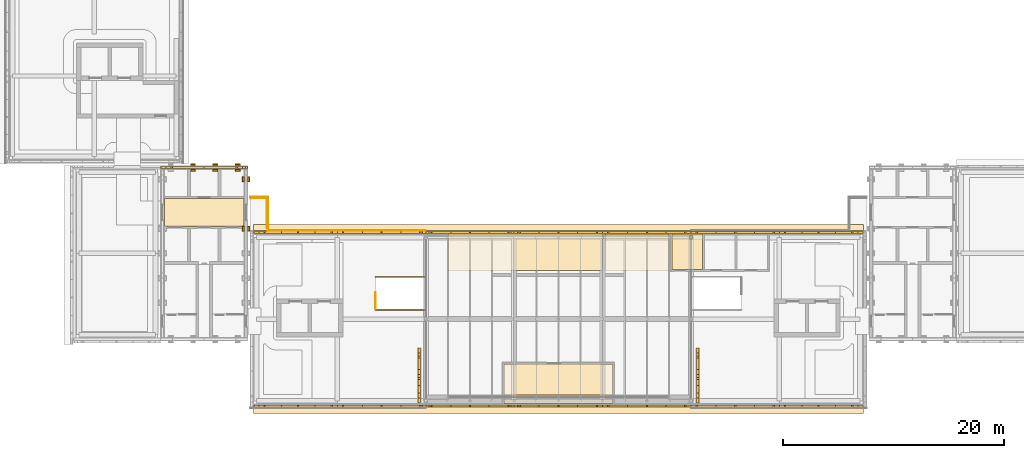
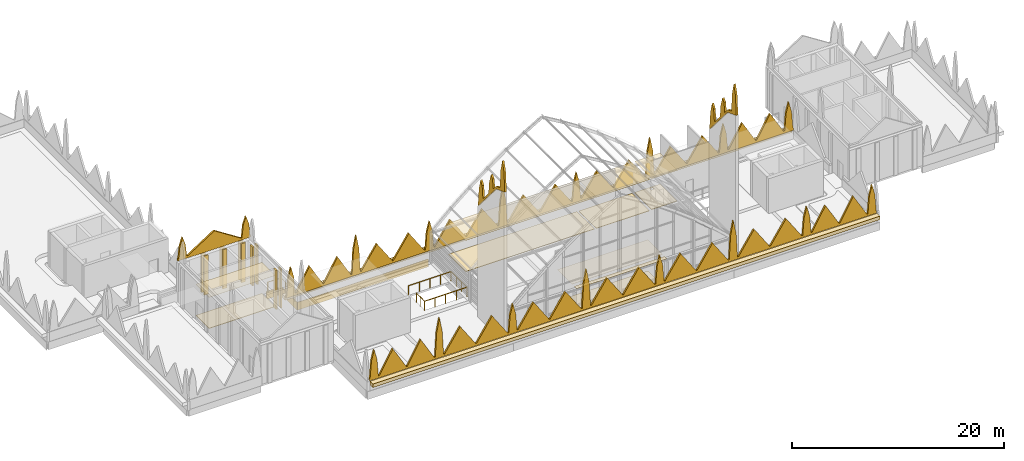
# One storey, part 15 of 18: 32 coverings, 3 railings.
"""IFC4 building model written with IfcOpenShell, lengths in metres."""

from ifc_helpers import new_model, si_unit, direction, frame, frame_2d, origin, origin_2d, place, context, subcontext, project, spatial, polyline, rectangle, circle, outline, extrude, material, layer, layer_set, type_object, element, save


model = new_model("IFC4")

# Units and contexts
model_context = context("Model", 3, precision=1e-05, world=origin(), true_north=direction((0.0, 1.0)))
body_context = subcontext(model_context, "Body", "Model", "MODEL_VIEW")
ifc_project = project(units=[si_unit("LENGTHUNIT", "METRE"), si_unit("AREAUNIT", "SQUARE_METRE"), si_unit("VOLUMEUNIT", "CUBIC_METRE"), si_unit("PLANEANGLEUNIT", "RADIAN"), si_unit("MASSUNIT", "GRAM", prefix="KILO")], contexts=[model_context])

# Site, building, storey
site_placement = place(None, origin())
site = spatial("IfcSite", under=ifc_project, at=site_placement, CompositionType="ELEMENT")
building_placement = place(site_placement, origin())
building = spatial("IfcBuilding", under=site, at=building_placement, Name="Lantern Court Media Centre", CompositionType="ELEMENT")
storey_placement = place(building_placement, frame((0.0, 0.0, 33.60009765625)))
storey = spatial("IfcBuildingStorey", under=building, at=storey_placement, Name="R00", CompositionType="ELEMENT", Elevation=33.60009765625)

# Coverings
ifc_material_1 = material(Name="Carpet")
ifc_layer_1 = layer(ifc_material_1, 0.050048828125)
ifc_layer_set_1 = layer_set([ifc_layer_1], Name="Carpet")
covering_type_1 = type_object("IfcCoveringType", Name="Carpet floor finish", PredefinedType="FLOORING", material=ifc_layer_set_1)
covering_1_placement = place(storey_placement, origin())
element("IfcCovering", 1, at=covering_1_placement, inside=storey, type_object=covering_type_1, Name="Terrace Bar floor finish", PredefinedType="FLOORING", context=body_context, shape_type="SweptSolid", body=[
    extrude(outline(polyline([(56.0, 54.39990234375), (42.0, 54.39990234375), (42.0, 57.695068359375), (56.0, 57.695068359375), (56.0, 54.39990234375)])), origin(), (0.0, 0.0, 1.0), 0.0498046875),
])
covering_2_placement = place(storey_placement, origin())
element("IfcCovering", 2, at=covering_2_placement, inside=storey, type_object=covering_type_1, Name="Terrace Kitchen floor finish", PredefinedType="FLOORING", context=body_context, shape_type="SweptSolid", body=[
    extrude(outline(polyline([(62.0, 54.39990234375), (56.199951171875, 54.39990234375), (56.199951171875, 57.695068359375), (62.0, 57.695068359375), (62.0, 54.39990234375)])), origin(), (0.0, 0.0, 1.0), 0.0498046875),
])
covering_3_placement = place(storey_placement, origin())
element("IfcCovering", 3, at=covering_3_placement, inside=storey, type_object=covering_type_1, Name="Projection Booth floor finish", PredefinedType="FLOORING", context=body_context, shape_type="SweptSolid", body=[
    extrude(outline(polyline([(47.080078125, 45.919921875), (56.919921875, 45.919921875), (56.919921875, 43.155029296875), (47.080078125, 43.155029296875), (47.080078125, 45.919921875)])), origin(), (0.0, 0.0, 1.0), 0.0498046875),
])
covering_4_placement = place(storey_placement, origin())
element("IfcCovering", 4, at=covering_4_placement, inside=storey, type_object=covering_type_1, Name="Projection Booth floor finish", PredefinedType="FLOORING", context=body_context, shape_type="SweptSolid", body=[
    extrude(outline(polyline([(56.919921875, 42.7451171875), (56.919921875, 42.304931640625), (47.080078125, 42.304931640625), (47.080078125, 42.7451171875), (56.919921875, 42.7451171875)])), origin(), (0.0, 0.0, 1.0), 0.0498046875),
])
ifc_material_2 = material(Name="Ceramic tile")
ifc_layer_2 = layer(ifc_material_2, 0.050048828125)
ifc_layer_set_2 = layer_set([ifc_layer_2], Name="Ceramic tile")
covering_type_2 = type_object("IfcCoveringType", Name="Ceramic tile floor finish", PredefinedType="FLOORING", material=ifc_layer_set_2)
covering_5_placement = place(storey_placement, origin())
element("IfcCovering", 5, at=covering_5_placement, inside=storey, type_object=covering_type_2, Name="WC Male floor finish", PredefinedType="FLOORING", context=body_context, shape_type="SweptSolid", body=[
    extrude(outline(polyline([(62.280029296875, 54.47998046875), (62.280029296875, 57.695068359375), (65.052978515625, 57.695068359375), (65.052978515625, 54.47998046875), (62.280029296875, 54.47998046875)]), holes=[polyline([(64.155029296875, 57.550048828125), (63.846435546875, 57.553466796875), (63.846435546875, 57.24658203125), (64.153564453125, 57.24658203125), (64.155029296875, 57.550048828125)])]), origin(), (0.0, 0.0, 1.0), 0.0498046875),
])

# Railing
ifc_material_3 = material(Name="Powder-coated steel", Category="steel")
railing_type_1 = type_object("IfcRailingType", Name="Floor edge guard 1100", PredefinedType="GUARDRAIL", material=ifc_material_3)
railing_1_placement = place(storey_placement, frame((24.159912109375, 60.93310546875, 0.0)))
element("IfcRailing", 6, at=railing_1_placement, inside=storey, type_object=railing_type_1, Name="R00 edge guard 246", PredefinedType="GUARDRAIL", context=body_context, shape_type="SweptSolid", body=[
    extrude(circle(Radius=0.02392578125, at=origin_2d()), frame((0.0, 0.0, 1.076171875), z_axis=(0.997310439798, 0.073293155681, 0.0), x_axis=(-0.073293155681, 0.997310439798, 0.0)), (0.0, 0.0, 1.0), 0.09326171875),
    extrude(circle(Radius=0.02392578125, at=origin_2d()), frame((0.093017578125, 0.0068359375, 1.076171875), z_axis=(1.0, 0.0, 0.0), x_axis=(0.0, 1.0, 0.0)), (0.0, 0.0, 1.0), 1.386962890625),
    extrude(circle(Radius=0.02392578125, at=origin_2d()), frame((1.47998046875, 0.0068359375, 1.076171875), z_axis=(0.0, -1.0, 0.0), x_axis=(1.0, 0.0, 0.0)), (0.0, 0.0, 1.0), 2.675048828125),
    extrude(circle(Radius=0.02099609375, at=origin_2d()), origin(), (0.0, 0.0, 1.0), 1.052001953125),
    extrude(circle(Radius=0.02099609375, at=origin_2d()), frame((0.093017578125, 0.0068359375, 0.0)), (0.0, 0.0, 1.0), 1.052001953125),
    extrude(circle(Radius=0.02099609375, at=origin_2d()), frame((0.78662109375, 0.0068359375, 0.0)), (0.0, 0.0, 1.0), 1.052001953125),
    extrude(circle(Radius=0.02099609375, at=origin_2d()), frame((1.47998046875, 0.0068359375, 0.0)), (0.0, 0.0, 1.0), 1.052001953125),
    extrude(circle(Radius=0.02099609375, at=origin_2d()), frame((1.47998046875, -0.884765625, 0.0)), (0.0, 0.0, 1.0), 1.052001953125),
    extrude(circle(Radius=0.02099609375, at=origin_2d()), frame((1.47998046875, -1.776611328125, 0.0)), (0.0, 0.0, 1.0), 1.052001953125),
    extrude(circle(Radius=0.02099609375, at=origin_2d()), frame((1.47998046875, -2.668212890625, 0.0)), (0.0, 0.0, 1.0), 1.052001953125),
])

# Coverings
ifc_material_4 = material(Name="White glass-fibre reinforced cement cladding", Category="concrete")
ifc_layer_3 = layer(ifc_material_4, 0.050048828125)
ifc_layer_set_3 = layer_set([ifc_layer_3], Name="White glass-fibre reinforced cement cladding")
covering_type_3 = type_object("IfcCoveringType", Name="Floor-edge band 50", PredefinedType="CLADDING", material=ifc_layer_set_3)
covering_6_placement = place(storey_placement, frame((25.75, 58.02490234375, -0.900146484375), z_axis=(0.0, 0.0, 1.0), x_axis=(1.0, 0.0, 0.0)))
element("IfcCovering", 7, at=covering_6_placement, inside=storey, type_object=covering_type_3, Name="Floor-edge band S inner roof", PredefinedType="CLADDING", context=body_context, shape_type="SweptSolid", body=[
    extrude(rectangle(XDim=14.25, YDim=0.050048828125, at=frame_2d((7.125, 0.0))), origin(), (0.0, 0.0, 1.0), 0.900146484375),
])
covering_7_placement = place(storey_placement, frame((24.10009765625, 61.02490234375, -0.900146484375), z_axis=(0.0, 0.0, 1.0), x_axis=(1.0, 0.0, 0.0)))
element("IfcCovering", 8, at=covering_7_placement, inside=storey, type_object=covering_type_3, Name="Floor-edge band S inner roof", PredefinedType="CLADDING", context=body_context, shape_type="SweptSolid", body=[
    extrude(rectangle(XDim=1.599853515625, YDim=0.050048828125, at=frame_2d((0.7998046875, 0.0))), origin(), (0.0, 0.0, 1.0), 0.900146484375),
])
covering_8_placement = place(storey_placement, frame((25.72509765625, 58.0, -0.900146484375), z_axis=(0.0, 0.0, 1.0), x_axis=(0.0, 1.0, 0.0)))
element("IfcCovering", 9, at=covering_8_placement, inside=storey, type_object=covering_type_3, Name="Floor-edge band S inner roof", PredefinedType="CLADDING", context=body_context, shape_type="SweptSolid", body=[
    extrude(rectangle(XDim=3.050048828125, YDim=0.050048828125, at=frame_2d((1.52490234375, 0.0))), origin(), (0.0, 0.0, 1.0), 0.900146484375),
])
ifc_material_5 = material(Name="Honed limestone cladding on blockwork", Category="masonry")
ifc_layer_4 = layer(ifc_material_5, 0.550048828125)
ifc_layer_set_4 = layer_set([ifc_layer_4], Name="Honed limestone cladding on blockwork")
covering_type_4 = type_object("IfcCoveringType", Name="Limestone cornice 550", PredefinedType="CLADDING", material=ifc_layer_set_4)
for number, where, z_axis, x_axis, name in (
    (10, (24.39990234375, 41.72509765625, 0.699951171875), (0.0, 0.0, 1.0), (1.0, 0.0, 0.0), "Attic cornice"),
    (11, (24.39990234375, 58.27490234375, 0.699951171875), (0.0, 0.0, 1.0), (1.0, 0.0, 0.0), "Attic cornice"),
):
    element("IfcCovering", number, at=place(storey_placement, frame(where, z_axis=z_axis, x_axis=x_axis)), inside=storey, type_object=covering_type_4, Name=name, PredefinedType="CLADDING", context=body_context, shape_type="SweptSolid", body=[
        extrude(rectangle(XDim=55.2001953125, YDim=0.550048828125, at=frame_2d((27.60009765625, 0.0))), origin(), (0.0, 0.0, 1.0), 0.39990234375),
    ])
ifc_layer_5 = layer(ifc_material_5, 0.199951171875)
ifc_layer_set_5 = layer_set([ifc_layer_5], Name="Honed limestone cladding on blockwork")
covering_type_5 = type_object("IfcCoveringType", Name="Limestone cresting 200", PredefinedType="CLADDING", material=ifc_layer_set_5)
covering_9_placement = place(storey_placement, frame((24.39990234375, 42.14990234375, 1.099853515625), z_axis=(0.0, 0.0, 1.0), x_axis=(1.0, 0.0, 0.0)))
element("IfcCovering", 12, at=covering_9_placement, inside=storey, type_object=covering_type_5, Name="Parapet cresting", PredefinedType="CLADDING", context=body_context, shape_type="SweptSolid", body=[
    extrude(outline(polyline([(0.0, 0.0), (55.2001953125, 0.0), (55.199951171875, 0.25), (55.14990234375, 0.25), (55.0, 2.2099609375), (54.699951171875, 3.400146484375), (54.39990234375, 2.2099609375), (54.25, 0.25), (54.1298828125, 0.25), (52.6650390625, 2.800048828125), (51.199951171875, 0.25), (51.10009765625, 0.25), (49.635009765625, 2.800048828125), (48.169921875, 0.25), (48.050048828125, 0.25), (47.89990234375, 2.2099609375), (47.60009765625, 3.400146484375), (47.300048828125, 2.2099609375), (47.14990234375, 0.25), (47.030029296875, 0.25), (45.340087890625, 2.800048828125), (43.64990234375, 0.25), (43.550048828125, 0.25), (41.860107421875, 2.800048828125), (40.169921875, 0.25), (40.050048828125, 0.25), (39.89990234375, 2.983642578125), (39.60009765625, 4.590087890625), (39.300048828125, 2.983642578125), (39.14990234375, 0.25), (39.030029296875, 0.25), (37.340087890625, 2.800048828125), (35.64990234375, 0.25), (35.550048828125, 0.25), (33.860107421875, 2.800048828125), (32.169921875, 0.25), (32.050048828125, 0.25), (31.89990234375, 2.2099609375), (31.60009765625, 3.400146484375), (31.300048828125, 2.2099609375), (31.14990234375, 0.25), (31.030029296875, 0.25), (29.340087890625, 2.800048828125), (27.64990234375, 0.25), (27.550048828125, 0.25), (25.860107421875, 2.800048828125), (24.169921875, 0.25), (24.050048828125, 0.25), (23.89990234375, 2.983642578125), (23.60009765625, 4.590087890625), (23.300048828125, 2.983642578125), (23.14990234375, 0.25), (23.030029296875, 0.25), (21.340087890625, 2.800048828125), (19.64990234375, 0.25), (19.550048828125, 0.25), (17.860107421875, 2.800048828125), (16.169921875, 0.25), (16.050048828125, 0.25), (15.89990234375, 2.2099609375), (15.60009765625, 3.400146484375), (15.300048828125, 2.2099609375), (15.14990234375, 0.25), (15.030029296875, 0.25), (13.340087890625, 2.800048828125), (11.64990234375, 0.25), (11.550048828125, 0.25), (9.860107421875, 2.800048828125), (8.169921875, 0.25), (8.050048828125, 0.25), (7.89990234375, 2.983642578125), (7.60009765625, 4.590087890625), (7.300048828125, 2.983642578125), (7.14990234375, 0.25), (7.030029296875, 0.25), (5.56494140625, 2.800048828125), (4.10009765625, 0.25), (4.0, 0.25), (2.534912109375, 2.800048828125), (1.070068359375, 0.25), (0.949951171875, 0.25), (0.800048828125, 2.2099609375), (0.5, 3.400146484375), (0.199951171875, 2.2099609375), (0.050048828125, 0.25), (0.0, 0.25), (0.0, 0.0)])), frame((0.0, 0.10009765625, 0.0), z_axis=(0.0, -1.0, 0.0), x_axis=(1.0, 0.0, 0.0)), (0.0, 0.0, 1.0), 0.199951171875),
])
covering_10_placement = place(storey_placement, frame((24.39990234375, 57.85009765625, 1.099853515625), z_axis=(0.0, 0.0, 1.0), x_axis=(1.0, 0.0, 0.0)))
element("IfcCovering", 13, at=covering_10_placement, inside=storey, type_object=covering_type_5, Name="Parapet cresting", PredefinedType="CLADDING", context=body_context, shape_type="SweptSolid", body=[
    extrude(outline(polyline([(0.0, 0.0), (55.2001953125, 0.0), (55.199951171875, 0.25), (55.14990234375, 0.25), (55.0, 2.2099609375), (54.699951171875, 3.400146484375), (54.39990234375, 2.2099609375), (54.25, 0.25), (54.1298828125, 0.25), (52.6650390625, 2.800048828125), (51.199951171875, 0.25), (51.10009765625, 0.25), (49.635009765625, 2.800048828125), (48.169921875, 0.25), (48.050048828125, 0.25), (47.89990234375, 2.2099609375), (47.60009765625, 3.400146484375), (47.300048828125, 2.2099609375), (47.14990234375, 0.25), (47.030029296875, 0.25), (45.340087890625, 2.800048828125), (43.64990234375, 0.25), (43.550048828125, 0.25), (41.860107421875, 2.800048828125), (40.169921875, 0.25), (40.050048828125, 0.25), (39.89990234375, 2.983642578125), (39.60009765625, 4.590087890625), (39.300048828125, 2.983642578125), (39.14990234375, 0.25), (39.030029296875, 0.25), (37.340087890625, 2.800048828125), (35.64990234375, 0.25), (35.550048828125, 0.25), (33.860107421875, 2.800048828125), (32.169921875, 0.25), (32.050048828125, 0.25), (31.89990234375, 2.2099609375), (31.60009765625, 3.400146484375), (31.300048828125, 2.2099609375), (31.14990234375, 0.25), (31.030029296875, 0.25), (29.340087890625, 2.800048828125), (27.64990234375, 0.25), (27.550048828125, 0.25), (25.860107421875, 2.800048828125), (24.169921875, 0.25), (24.050048828125, 0.25), (23.89990234375, 2.983642578125), (23.60009765625, 4.590087890625), (23.300048828125, 2.983642578125), (23.14990234375, 0.25), (23.030029296875, 0.25), (21.340087890625, 2.800048828125), (19.64990234375, 0.25), (19.550048828125, 0.25), (17.860107421875, 2.800048828125), (16.169921875, 0.25), (16.050048828125, 0.25), (15.89990234375, 2.2099609375), (15.60009765625, 3.400146484375), (15.300048828125, 2.2099609375), (15.14990234375, 0.25), (15.030029296875, 0.25), (13.340087890625, 2.800048828125), (11.64990234375, 0.25), (11.550048828125, 0.25), (9.860107421875, 2.800048828125), (8.169921875, 0.25), (8.050048828125, 0.25), (7.89990234375, 2.983642578125), (7.60009765625, 4.590087890625), (7.300048828125, 2.983642578125), (7.14990234375, 0.25), (7.030029296875, 0.25), (5.56494140625, 2.800048828125), (4.10009765625, 0.25), (4.0, 0.25), (2.534912109375, 2.800048828125), (1.070068359375, 0.25), (0.949951171875, 0.25), (0.800048828125, 2.2099609375), (0.5, 3.400146484375), (0.199951171875, 2.2099609375), (0.050048828125, 0.25), (0.0, 0.25), (0.0, 0.0)])), frame((0.0, 0.10009765625, 0.0), z_axis=(0.0, -1.0, 0.0), x_axis=(1.0, 0.0, 0.0)), (0.0, 0.0, 1.0), 0.199951171875),
])
covering_11_placement = place(storey_placement, frame((16.0, 63.72509765625, 4.75), z_axis=(0.0, 0.0, 1.0), x_axis=(1.0, 0.0, 0.0)))
element("IfcCovering", 14, at=covering_11_placement, inside=storey, type_object=covering_type_5, Name="Roof box cresting", PredefinedType="CLADDING", context=body_context, shape_type="SweptSolid", body=[
    extrude(outline(polyline([(0.0, 0.0), (7.89990234375, 0.0), (7.89990234375, 0.25), (7.85009765625, 0.25), (7.699951171875, 1.657470703125), (7.39990234375, 2.5498046875), (7.10009765625, 1.657470703125), (6.949951171875, 0.25), (6.830078125, 0.25), (3.949951171875, 2.099853515625), (1.070068359375, 0.25), (0.949951171875, 0.25), (0.800048828125, 1.657470703125), (0.5, 2.5498046875), (0.199951171875, 1.657470703125), (0.050048828125, 0.25), (0.0, 0.25), (0.0, 0.0)])), frame((0.0, 0.10009765625, 0.0), z_axis=(0.0, -1.0, 0.0), x_axis=(1.0, 0.0, 0.0)), (0.0, 0.0, 1.0), 0.199951171875),
])
for number, where, z_axis, x_axis, name in (
    (15, (39.39990234375, 42.39990234375, 12.7998046875), (0.0, 0.0, 1.0), (0.0, 1.0, 0.0), "Pylon blade crown"),
    (16, (64.60009765625, 42.39990234375, 12.7998046875), (0.0, 0.0, 1.0), (0.0, 1.0, 0.0), "Pylon blade crown"),
):
    element("IfcCovering", number, at=place(storey_placement, frame(where, z_axis=z_axis, x_axis=x_axis)), inside=storey, type_object=covering_type_5, Name=name, PredefinedType="CLADDING", context=body_context, shape_type="SweptSolid", body=[
        extrude(outline(polyline([(0.0, 4.60009765625), (0.14990234375, 4.5439453125), (0.449951171875, 4.431396484375), (0.75, 4.31884765625), (0.89990234375, 4.2626953125), (1.60009765625, 4.0), (2.14990234375, 3.35302734375), (2.300048828125, 3.176513671875), (2.60009765625, 2.82373046875), (2.89990234375, 2.470703125), (3.050048828125, 2.294189453125), (4.10009765625, 1.058837890625), (4.25, 0.882568359375), (4.550048828125, 0.529541015625), (4.85009765625, 0.176513671875), (5.0, 0.0), (5.0, 0.300048828125), (4.85009765625, 2.03662109375), (4.550048828125, 3.2294921875), (4.25, 2.742431640625), (4.10009765625, 1.35888671875), (3.050048828125, 2.59423828125), (2.89990234375, 4.005615234375), (2.60009765625, 5.023681640625), (2.300048828125, 4.711669921875), (2.14990234375, 3.653076171875), (1.60009765625, 4.300048828125), (0.89990234375, 4.5625), (0.75, 6.69873046875), (0.449951171875, 7.931396484375), (0.14990234375, 6.923828125), (0.0, 4.900146484375), (0.0, 4.60009765625)])), frame((0.0, 0.10009765625, 0.0), z_axis=(0.0, -1.0, 0.0), x_axis=(1.0, 0.0, 0.0)), (0.0, 0.0, 1.0), 0.199951171875),
    ])
ifc_material_6 = material(Name="Honed limestone cladding", Category="masonry")
ifc_layer_6 = layer(ifc_material_6, 0.14990234375)
ifc_layer_set_6 = layer_set([ifc_layer_6], Name="Honed limestone cladding")
covering_type_6 = type_object("IfcCoveringType", Name="Limestone pilaster cladding 150", PredefinedType="CLADDING", material=ifc_layer_set_6)
covering_12_placement = place(storey_placement, frame((23.47509765625, 57.958251953125, 0.0), z_axis=(0.0, 0.0, 1.0), x_axis=(0.0, 1.0, 0.0)))
element("IfcCovering", 17, at=covering_12_placement, inside=storey, type_object=covering_type_6, Name="Limestone pilaster rib", PredefinedType="CLADDING", context=body_context, shape_type="SweptSolid", body=[
    extrude(rectangle(XDim=0.4501953125, YDim=0.14990234375, at=frame_2d((0.22509765625, 0.0))), origin(), (0.0, 0.0, 1.0), 4.5),
])
covering_13_placement = place(storey_placement, frame((23.47509765625, 62.425048828125, 0.0), z_axis=(0.0, 0.0, 1.0), x_axis=(0.0, 1.0, 0.0)))
element("IfcCovering", 18, at=covering_13_placement, inside=storey, type_object=covering_type_6, Name="Limestone pilaster rib", PredefinedType="CLADDING", context=body_context, shape_type="SweptSolid", body=[
    extrude(rectangle(XDim=0.449951171875, YDim=0.14990234375, at=frame_2d((0.22509765625, 0.0))), origin(), (0.0, 0.0, 1.0), 4.5),
])
covering_14_placement = place(storey_placement, frame((23.97509765625, 57.958251953125, 0.0), z_axis=(0.0, 0.0, 1.0), x_axis=(0.0, 1.0, 0.0)))
element("IfcCovering", 19, at=covering_14_placement, inside=storey, type_object=covering_type_6, Name="Limestone pilaster rib", PredefinedType="CLADDING", context=body_context, shape_type="SweptSolid", body=[
    extrude(rectangle(XDim=0.4501953125, YDim=0.14990234375, at=frame_2d((0.22509765625, 0.0))), origin(), (0.0, 0.0, 1.0), 4.5),
])
covering_15_placement = place(storey_placement, frame((23.97509765625, 62.425048828125, 0.0), z_axis=(0.0, 0.0, 1.0), x_axis=(0.0, 1.0, 0.0)))
element("IfcCovering", 20, at=covering_15_placement, inside=storey, type_object=covering_type_6, Name="Limestone pilaster rib", PredefinedType="CLADDING", context=body_context, shape_type="SweptSolid", body=[
    extrude(rectangle(XDim=0.449951171875, YDim=0.14990234375, at=frame_2d((0.22509765625, 0.0))), origin(), (0.0, 0.0, 1.0), 4.5),
])
covering_16_placement = place(storey_placement, frame((18.708251953125, 63.97509765625, 0.0), z_axis=(0.0, 0.0, 1.0), x_axis=(1.0, 0.0, 0.0)))
element("IfcCovering", 21, at=covering_16_placement, inside=storey, type_object=covering_type_6, Name="Limestone pilaster rib", PredefinedType="CLADDING", context=body_context, shape_type="SweptSolid", body=[
    extrude(rectangle(XDim=0.4501953125, YDim=0.14990234375, at=frame_2d((0.22509765625, 0.0))), origin(), (0.0, 0.0, 1.0), 4.5),
])
covering_17_placement = place(storey_placement, frame((20.74169921875, 63.97509765625, 0.0), z_axis=(0.0, 0.0, 1.0), x_axis=(1.0, 0.0, 0.0)))
element("IfcCovering", 22, at=covering_17_placement, inside=storey, type_object=covering_type_6, Name="Limestone pilaster rib", PredefinedType="CLADDING", context=body_context, shape_type="SweptSolid", body=[
    extrude(rectangle(XDim=0.449951171875, YDim=0.14990234375, at=frame_2d((0.22509765625, 0.0))), origin(), (0.0, 0.0, 1.0), 4.5),
])
for number, where, z_axis, x_axis, name in (
    (23, (22.77490234375, 63.97509765625, 0.0), (0.0, 0.0, 1.0), (1.0, 0.0, 0.0), "Limestone pilaster rib"),
    (24, (18.708251953125, 63.47509765625, 0.0), (0.0, 0.0, 1.0), (1.0, 0.0, 0.0), "Limestone pilaster rib"),
):
    element("IfcCovering", number, at=place(storey_placement, frame(where, z_axis=z_axis, x_axis=x_axis)), inside=storey, type_object=covering_type_6, Name=name, PredefinedType="CLADDING", context=body_context, shape_type="SweptSolid", body=[
        extrude(rectangle(XDim=0.4501953125, YDim=0.14990234375, at=frame_2d((0.22509765625, 0.0))), origin(), (0.0, 0.0, 1.0), 4.5),
    ])
covering_18_placement = place(storey_placement, frame((20.74169921875, 63.47509765625, 0.0), z_axis=(0.0, 0.0, 1.0), x_axis=(1.0, 0.0, 0.0)))
element("IfcCovering", 25, at=covering_18_placement, inside=storey, type_object=covering_type_6, Name="Limestone pilaster rib", PredefinedType="CLADDING", context=body_context, shape_type="SweptSolid", body=[
    extrude(rectangle(XDim=0.449951171875, YDim=0.14990234375, at=frame_2d((0.22509765625, 0.0))), origin(), (0.0, 0.0, 1.0), 4.5),
])
covering_19_placement = place(storey_placement, frame((22.77490234375, 63.47509765625, 0.0), z_axis=(0.0, 0.0, 1.0), x_axis=(1.0, 0.0, 0.0)))
element("IfcCovering", 26, at=covering_19_placement, inside=storey, type_object=covering_type_6, Name="Limestone pilaster rib", PredefinedType="CLADDING", context=body_context, shape_type="SweptSolid", body=[
    extrude(rectangle(XDim=0.4501953125, YDim=0.14990234375, at=frame_2d((0.22509765625, 0.0))), origin(), (0.0, 0.0, 1.0), 4.5),
])

# Railings
railing_type_2 = type_object("IfcRailingType", Name="Stair guard 1100", PredefinedType="GUARDRAIL", material=ifc_material_3)
railing_2_placement = place(storey_placement, frame((35.449951171875, 50.89990234375, 0.0)))
element("IfcRailing", 27, at=railing_2_placement, inside=storey, type_object=railing_type_2, Name="R00 ST-V3-ST-W top well guard 1", PredefinedType="GUARDRAIL", context=body_context, shape_type="SweptSolid", body=[
    extrude(circle(Radius=0.02392578125, at=origin_2d()), frame((0.0, 0.0, 1.076171875), z_axis=(0.0, 1.0, 0.0), x_axis=(-1.0, 0.0, 0.0)), (0.0, 0.0, 1.0), 1.5),
    extrude(circle(Radius=0.02099609375, at=origin_2d()), origin(), (0.0, 0.0, 1.0), 1.052001953125),
    extrude(circle(Radius=0.02099609375, at=origin_2d()), frame((0.0, 0.75, 0.0)), (0.0, 0.0, 1.0), 1.052001953125),
    extrude(circle(Radius=0.02099609375, at=origin_2d()), frame((0.0, 1.5, 0.0)), (0.0, 0.0, 1.0), 1.052001953125),
])
railing_3_placement = place(storey_placement, frame((35.43994140625, 50.840087890625, 0.0)))
element("IfcRailing", 28, at=railing_3_placement, inside=storey, type_object=railing_type_2, Name="R00 V3-ST-W stair opening guard", PredefinedType="GUARDRAIL", context=body_context, shape_type="SweptSolid", body=[
    extrude(circle(Radius=0.02392578125, at=origin_2d()), frame((0.0, 0.0, 1.076171875), z_axis=(1.0, 0.0, 0.0), x_axis=(0.0, 1.0, 0.0)), (0.0, 0.0, 1.0), 4.6201171875),
    extrude(circle(Radius=0.02392578125, at=origin_2d()), frame((4.6201171875, 0.0, 1.076171875), z_axis=(0.0, 1.0, 0.0), x_axis=(-1.0, 0.0, 0.0)), (0.0, 0.0, 1.0), 2.969970703125),
    extrude(circle(Radius=0.02392578125, at=origin_2d()), frame((4.6201171875, 2.969970703125, 1.076171875), z_axis=(-1.0, 0.0, 0.0), x_axis=(0.0, -1.0, 0.0)), (0.0, 0.0, 1.0), 4.6201171875),
    extrude(circle(Radius=0.02099609375, at=origin_2d()), origin(), (0.0, 0.0, 1.0), 1.052001953125),
    extrude(circle(Radius=0.02099609375, at=origin_2d()), frame((1.155029296875, 0.0, 0.0)), (0.0, 0.0, 1.0), 1.052001953125),
    extrude(circle(Radius=0.02099609375, at=origin_2d()), frame((2.31005859375, 0.0, 0.0)), (0.0, 0.0, 1.0), 1.052001953125),
    extrude(circle(Radius=0.02099609375, at=origin_2d()), frame((3.465087890625, 0.0, 0.0)), (0.0, 0.0, 1.0), 1.052001953125),
    extrude(circle(Radius=0.02099609375, at=origin_2d()), frame((4.6201171875, 0.0, 0.0)), (0.0, 0.0, 1.0), 1.052001953125),
    extrude(circle(Radius=0.02099609375, at=origin_2d()), frame((4.6201171875, 0.989990234375, 0.0)), (0.0, 0.0, 1.0), 1.052001953125),
    extrude(circle(Radius=0.02099609375, at=origin_2d()), frame((4.6201171875, 1.97998046875, 0.0)), (0.0, 0.0, 1.0), 1.052001953125),
    extrude(circle(Radius=0.02099609375, at=origin_2d()), frame((4.6201171875, 2.969970703125, 0.0)), (0.0, 0.0, 1.0), 1.052001953125),
    extrude(circle(Radius=0.02099609375, at=origin_2d()), frame((3.465087890625, 2.969970703125, 0.0)), (0.0, 0.0, 1.0), 1.052001953125),
    extrude(circle(Radius=0.02099609375, at=origin_2d()), frame((2.31005859375, 2.969970703125, 0.0)), (0.0, 0.0, 1.0), 1.052001953125),
    extrude(circle(Radius=0.02099609375, at=origin_2d()), frame((1.155029296875, 2.969970703125, 0.0)), (0.0, 0.0, 1.0), 1.052001953125),
    extrude(circle(Radius=0.02099609375, at=origin_2d()), frame((0.0, 2.969970703125, 0.0)), (0.0, 0.0, 1.0), 1.052001953125),
])

# Coverings
ifc_material_7 = material(Name="Mineral fibre ceiling tile")
ifc_layer_7 = layer(ifc_material_7, 0.02001953125)
ifc_layer_set_7 = layer_set([ifc_layer_7], Name="Mineral fibre ceiling tile")
covering_type_7 = type_object("IfcCoveringType", Name="Suspended ceiling tile", PredefinedType="CEILING", material=ifc_layer_set_7)
covering_20_placement = place(storey_placement, frame((0.0, 0.0, 3.599853515625)))
element("IfcCovering", 29, at=covering_20_placement, inside=storey, type_object=covering_type_7, Name="Lift Lobby ceiling", PredefinedType="CEILING", context=body_context, shape_type="SweptSolid", body=[
    extrude(outline(polyline([(23.549560546875, 60.8994140625), (23.549560546875, 58.400390625), (16.3505859375, 58.400390625), (16.3505859375, 60.8994140625), (23.549560546875, 60.8994140625)])), origin(), (0.0, 0.0, 1.0), 0.02001953125),
])
covering_21_placement = place(storey_placement, frame((0.0, 0.0, 3.599853515625)))
element("IfcCovering", 30, at=covering_21_placement, inside=storey, type_object=covering_type_7, Name="Terrace Bar ceiling", PredefinedType="CEILING", context=body_context, shape_type="SweptSolid", body=[
    extrude(outline(polyline([(56.0, 54.39990234375), (42.0, 54.39990234375), (42.0, 57.699462890625), (56.0, 57.699462890625), (56.0, 54.39990234375)])), origin(), (0.0, 0.0, 1.0), 0.02001953125),
])
covering_22_placement = place(storey_placement, frame((0.0, 0.0, 3.599853515625)))
element("IfcCovering", 31, at=covering_22_placement, inside=storey, type_object=covering_type_7, Name="Terrace Kitchen ceiling", PredefinedType="CEILING", context=body_context, shape_type="SweptSolid", body=[
    extrude(outline(polyline([(62.0, 54.39990234375), (56.199951171875, 54.39990234375), (56.199951171875, 57.699462890625), (62.0, 57.699462890625), (62.0, 54.39990234375)])), origin(), (0.0, 0.0, 1.0), 0.02001953125),
])
covering_23_placement = place(storey_placement, frame((0.0, 0.0, 3.599853515625)))
element("IfcCovering", 32, at=covering_23_placement, inside=storey, type_object=covering_type_7, Name="WC Male ceiling", PredefinedType="CEILING", context=body_context, shape_type="SweptSolid", body=[
    extrude(outline(polyline([(65.0576171875, 57.699462890625), (65.0576171875, 54.4755859375), (62.275390625, 54.4755859375), (62.275390625, 57.699462890625), (65.0576171875, 57.699462890625)])), origin(), (0.0, 0.0, 1.0), 0.02001953125),
])
covering_24_placement = place(storey_placement, frame((0.0, 0.0, 3.599853515625)))
element("IfcCovering", 33, at=covering_24_placement, inside=storey, type_object=covering_type_7, Name="Projection Booth ceiling", PredefinedType="CEILING", context=body_context, shape_type="SweptSolid", body=[
    extrude(outline(polyline([(47.075439453125, 45.924560546875), (56.924560546875, 45.924560546875), (56.924560546875, 43.150390625), (47.075439453125, 43.150390625), (47.075439453125, 45.924560546875)])), origin(), (0.0, 0.0, 1.0), 0.02001953125),
])
covering_25_placement = place(storey_placement, frame((0.0, 0.0, 3.599853515625)))
element("IfcCovering", 34, at=covering_25_placement, inside=storey, type_object=covering_type_7, Name="Projection Booth ceiling", PredefinedType="CEILING", context=body_context, shape_type="SweptSolid", body=[
    extrude(outline(polyline([(56.924560546875, 42.74951171875), (56.924560546875, 42.300537109375), (47.075439453125, 42.300537109375), (47.075439453125, 42.74951171875), (56.924560546875, 42.74951171875)])), origin(), (0.0, 0.0, 1.0), 0.02001953125),
])
ifc_material_8 = material(Name="Terrazzo")
ifc_layer_8 = layer(ifc_material_8, 0.050048828125)
ifc_layer_set_8 = layer_set([ifc_layer_8], Name="Terrazzo")
covering_type_8 = type_object("IfcCoveringType", Name="Terrazzo floor finish", PredefinedType="FLOORING", material=ifc_layer_set_8)
covering_26_placement = place(storey_placement, origin())
element("IfcCovering", 35, at=covering_26_placement, inside=storey, type_object=covering_type_8, Name="Lift Lobby floor finish", PredefinedType="FLOORING", context=body_context, shape_type="SweptSolid", body=[
    extrude(outline(polyline([(16.35498046875, 58.405029296875), (16.35498046875, 60.89501953125), (23.544921875, 60.89501953125), (23.544921875, 58.405029296875), (16.35498046875, 58.405029296875)])), origin(), (0.0, 0.0, 1.0), 0.0498046875),
])

save(model, "model.ifc")
